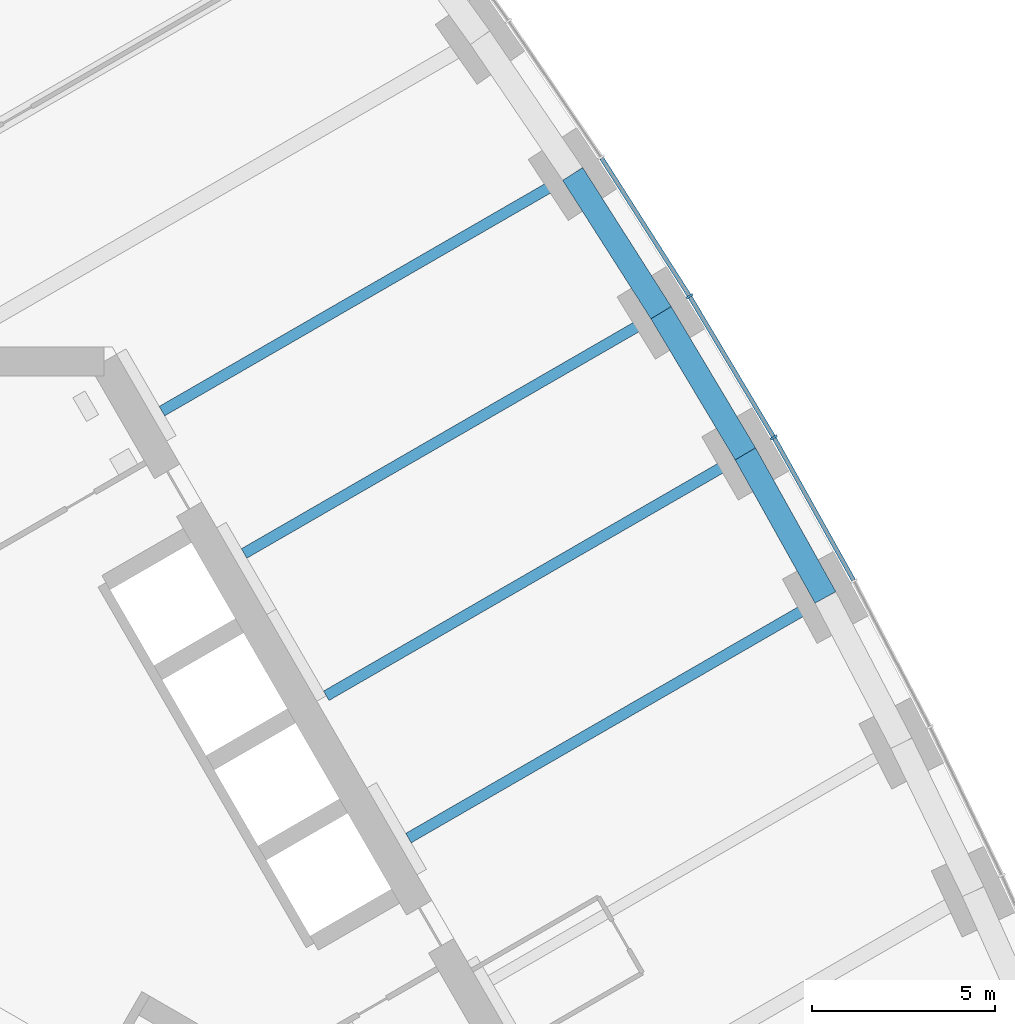
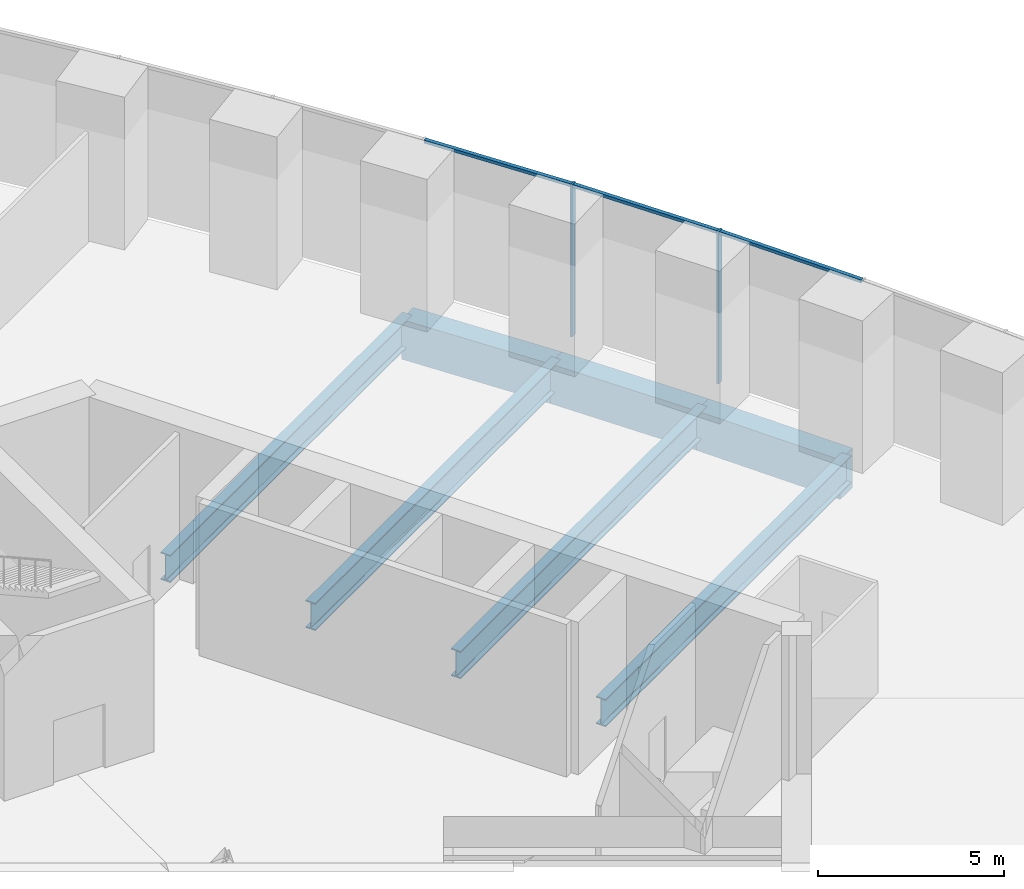
# One storey, part 9 of 21: 7 beams, 5 members, 1 element without a shape of its own.
"""IFC4 building model written with IfcOpenShell, lengths in metres."""

from ifc_helpers import new_model, si_unit, direction, frame, origin, origin_2d, place, context, subcontext, project, spatial, rectangle, i_section, extrude, material, material_profile, profile_set, type_object, element, aggregate, save


model = new_model("IFC4")

# Units and contexts
model_context = context("Model", 3, precision=1e-05, world=origin(), true_north=direction((0.0, 1.0)))
body_context = subcontext(model_context, "Body", "Model", "MODEL_VIEW")
ifc_project = project(units=[si_unit("LENGTHUNIT", "METRE"), si_unit("AREAUNIT", "SQUARE_METRE"), si_unit("VOLUMEUNIT", "CUBIC_METRE"), si_unit("PLANEANGLEUNIT", "RADIAN"), si_unit("MASSUNIT", "GRAM", prefix="KILO")], contexts=[model_context])

# Site, building, storey
site_placement = place(None, origin())
site = spatial("IfcSite", under=ifc_project, at=site_placement, CompositionType="ELEMENT")
building_placement = place(site_placement, origin())
building = spatial("IfcBuilding", under=site, at=building_placement, Name="Trefoil Bronze Tower", CompositionType="ELEMENT")
storey_placement = place(building_placement, frame((0.0, 0.0, 6.5)))
storey = spatial("IfcBuildingStorey", under=building, at=storey_placement, Name="L01", CompositionType="ELEMENT", Elevation=6.5)

# Curtain wall, members
ifc_material_1 = material(Name="Tinted solar-control glass", Category="glass")
curtain_wall_type = type_object("IfcCurtainWallType", Name="Bronze podium storefront curtain wall", PredefinedType="USERDEFINED", material=ifc_material_1)
curtain_wall_placement = place(storey_placement, origin())
curtain_wall = element("IfcCurtainWall", 1, at=curtain_wall_placement, inside=storey, type_object=curtain_wall_type, Name="CW-C L01 F2", ObjectType="CURTAIN WALL", PredefinedType="USERDEFINED")
ifc_material_2 = material(Name="Bronze-finish aluminium", Category="aluminium")
ifc_material_profile_1 = material_profile(ifc_material_2, rectangle(XDim=0.199951171875, YDim=0.06005859375, at=origin_2d()), Name="CW-C mullion")
ifc_profile_set_1 = profile_set([ifc_material_profile_1], Name="Bronze-finish aluminium")
member_type_1 = type_object("IfcMemberType", Name="Bronze podium storefront curtain wall mullion", PredefinedType="MULLION", material=ifc_profile_set_1)
member_1_placement = place(storey_placement, frame((24.11767578125, 13.92431640625, 0.0), z_axis=(0.0, 0.0, 1.0), x_axis=(-0.866025403784, -0.5, 0.0)))
member_1 = element("IfcMember", 2, at=member_1_placement, type_object=member_type_1, Name="CW-C L01 F2 mullion 9", PredefinedType="MULLION", context=body_context, shape_type="SweptSolid", body=[
    extrude(rectangle(XDim=0.199951171875, YDim=0.06005859375, at=origin_2d()), origin(), (0.0, 0.0, 1.0), 4.97998046875),
])
member_2_placement = place(storey_placement, frame((21.8095703125, 17.791259765625, 0.0), z_axis=(0.0, 0.0, 1.0), x_axis=(-0.851149783004, -0.524922896141, 0.0)))
member_2 = element("IfcMember", 3, at=member_2_placement, type_object=member_type_1, Name="CW-C L01 F2 mullion 10", PredefinedType="MULLION", context=body_context, shape_type="SweptSolid", body=[
    extrude(rectangle(XDim=0.199951171875, YDim=0.06005859375, at=origin_2d()), origin(), (0.0, 0.0, 1.0), 4.97998046875),
])
ifc_material_3 = material(Name="Bronze-finish aluminium", Category="aluminium")
ifc_material_profile_2 = material_profile(ifc_material_3, rectangle(XDim=0.1201171875, YDim=0.10009765625, at=origin_2d()), Name="CW-C transom")
ifc_profile_set_2 = profile_set([ifc_material_profile_2], Name="Bronze-finish aluminium")
member_type_2 = type_object("IfcMemberType", Name="Bronze podium storefront curtain wall transom", PredefinedType="USERDEFINED", material=ifc_profile_set_2)
member_3_placement = place(storey_placement, frame((26.297119140625, 10.01953125, 4.929931640625), z_axis=(-0.487350560486, 0.873206408127, 0.0), x_axis=(-0.873206408127, -0.487350560486, 0.0)))
member_3 = element("IfcMember", 4, at=member_3_placement, type_object=member_type_2, Name="CW-C L01 F2 transom 8", ObjectType="TRANSOM", PredefinedType="USERDEFINED", context=body_context, shape_type="SweptSolid", body=[
    extrude(rectangle(XDim=0.1201171875, YDim=0.10009765625, at=origin_2d()), origin(), (0.0, 0.0, 1.0), 4.4404296875),
])
member_4_placement = place(storey_placement, frame((24.1015625, 13.951416015625, 4.929931640625), z_axis=(-0.512521589617, 0.858674338837, 0.0), x_axis=(-0.858674338837, -0.512521589617, 0.0)))
member_4 = element("IfcMember", 5, at=member_4_placement, type_object=member_type_2, Name="CW-C L01 F2 transom 9", ObjectType="TRANSOM", PredefinedType="USERDEFINED", context=body_context, shape_type="SweptSolid", body=[
    extrude(rectangle(XDim=0.1201171875, YDim=0.10009765625, at=origin_2d()), origin(), (0.0, 0.0, 1.0), 4.440673828125),
])
member_5_placement = place(storey_placement, frame((21.792724609375, 17.81787109375, 4.929931640625), z_axis=(-0.537198916648, 0.84345558505, 0.0), x_axis=(-0.84345558505, -0.537198916648, 0.0)))
member_5 = element("IfcMember", 6, at=member_5_placement, type_object=member_type_2, Name="CW-C L01 F2 transom 10", ObjectType="TRANSOM", PredefinedType="USERDEFINED", context=body_context, shape_type="SweptSolid", body=[
    extrude(rectangle(XDim=0.1201171875, YDim=0.10009765625, at=origin_2d()), origin(), (0.0, 0.0, 1.0), 4.4443359375),
])
aggregate(curtain_wall, [member_1, member_2, member_3, member_4, member_5])

# Beams
ifc_material_4 = material(Name="Steel C355", Category="steel")
ifc_material_profile_3 = material_profile(ifc_material_4, i_section(OverallWidth=0.300048828125, OverallDepth=0.89990234375, WebThickness=0.0185546875, FlangeThickness=0.034912109375, FilletRadius=0.030029296875, at=origin_2d()), Name="HEB 900")
ifc_profile_set_3 = profile_set([ifc_material_profile_3], Name="Steel C355")
beam_type_1 = type_object("IfcBeamType", Name="Floor beam HEB 900", PredefinedType="BEAM", material=ifc_profile_set_3)
beam_1_placement = place(storey_placement, frame((25.531494140625, 9.54443359375, -0.64990234375), z_axis=(-0.866027071639, -0.499997111179, 0.0), x_axis=(0.499997111179, -0.866027071639, 0.0)))
element("IfcBeam", 7, at=beam_1_placement, inside=storey, type_object=beam_type_1, Name="Floor beam F2/-1 L01", PredefinedType="BEAM", context=body_context, shape_type="SweptSolid", body=[
    extrude(i_section(OverallWidth=0.300048828125, OverallDepth=0.89990234375, WebThickness=0.0185546875, FlangeThickness=0.034912109375, FilletRadius=0.030029296875, at=origin_2d()), origin(), (0.0, 0.0, 1.0), 13.18310546875),
])
beam_2_placement = place(storey_placement, frame((23.33837890625, 13.474365234375, -0.64990234375), z_axis=(-0.866031233401, -0.499989902672, 0.0), x_axis=(0.499989902672, -0.866031233401, 0.0)))
element("IfcBeam", 8, at=beam_2_placement, inside=storey, type_object=beam_type_1, Name="Floor beam F2/+0 L01", PredefinedType="BEAM", context=body_context, shape_type="SweptSolid", body=[
    extrude(i_section(OverallWidth=0.300048828125, OverallDepth=0.89990234375, WebThickness=0.0185546875, FlangeThickness=0.034912109375, FilletRadius=0.030029296875, at=origin_2d()), origin(), (0.0, 0.0, 1.0), 13.248779296875),
])
beam_3_placement = place(storey_placement, frame((21.031494140625, 17.338623046875, -0.64990234375), z_axis=(-0.866027071639, -0.499997111179, 0.0), x_axis=(0.499997111179, -0.866027071639, 0.0)))
element("IfcBeam", 9, at=beam_3_placement, inside=storey, type_object=beam_type_1, Name="Floor beam F2/+1 L01", PredefinedType="BEAM", context=body_context, shape_type="SweptSolid", body=[
    extrude(i_section(OverallWidth=0.300048828125, OverallDepth=0.89990234375, WebThickness=0.0185546875, FlangeThickness=0.034912109375, FilletRadius=0.030029296875, at=origin_2d()), origin(), (0.0, 0.0, 1.0), 13.18310546875),
])
beam_4_placement = place(storey_placement, frame((18.61083984375, 21.13720703125, -0.64990234375), z_axis=(-0.866030615021, -0.499990973765, 0.0), x_axis=(0.499990973765, -0.866030615021, 0.0)))
element("IfcBeam", 10, at=beam_4_placement, inside=storey, type_object=beam_type_1, Name="Floor beam F2/+2 L01", PredefinedType="BEAM", context=body_context, shape_type="SweptSolid", body=[
    extrude(i_section(OverallWidth=0.300048828125, OverallDepth=0.89990234375, WebThickness=0.0185546875, FlangeThickness=0.034912109375, FilletRadius=0.030029296875, at=origin_2d()), origin(), (0.0, 0.0, 1.0), 12.986083984375),
])
ifc_material_5 = material(Name="Concrete B80", Category="concrete")
ifc_material_profile_4 = material_profile(ifc_material_5, rectangle(XDim=0.64990234375, YDim=1.300048828125, at=origin_2d()), Name="RC 650x1300")
ifc_profile_set_4 = profile_set([ifc_material_profile_4], Name="Concrete B80")
beam_type_2 = type_object("IfcBeamType", Name="Spandrel beam RC 650x1300", PredefinedType="SPANDREL", material=ifc_profile_set_4)
for number, where, z_axis, x_axis, name in (
    (11, (25.531494140625, 9.54443359375, -0.85009765625), (-0.487309404804, 0.873229376504, 0.0), (-0.873229376504, -0.487309404804, 0.0), "Spandrel F2.8 L01"),
    (12, (23.33837890625, 13.474365234375, -0.85009765625), (-0.512587831591, 0.858634797166, 0.0), (-0.858634797166, -0.512587831591, 0.0), "Spandrel F2.9 L01"),
):
    element("IfcBeam", number, at=place(storey_placement, frame(where, z_axis=z_axis, x_axis=x_axis)), inside=storey, type_object=beam_type_2, Name=name, PredefinedType="SPANDREL", context=body_context, shape_type="SweptSolid", body=[
        extrude(rectangle(XDim=0.64990234375, YDim=1.300048828125, at=origin_2d()), origin(), (0.0, 0.0, 1.0), 4.50048828125),
    ])
beam_5_placement = place(storey_placement, frame((21.031494140625, 17.338623046875, -0.85009765625), z_axis=(-0.537408473305, 0.843322081307, 0.0), x_axis=(-0.843322081307, -0.537408473305, 0.0)))
element("IfcBeam", 13, at=beam_5_placement, inside=storey, type_object=beam_type_2, Name="Spandrel F2.10 L01", PredefinedType="SPANDREL", context=body_context, shape_type="SweptSolid", body=[
    extrude(rectangle(XDim=0.64990234375, YDim=1.300048828125, at=origin_2d()), origin(), (0.0, 0.0, 1.0), 4.50439453125),
])

save(model, "model.ifc")
